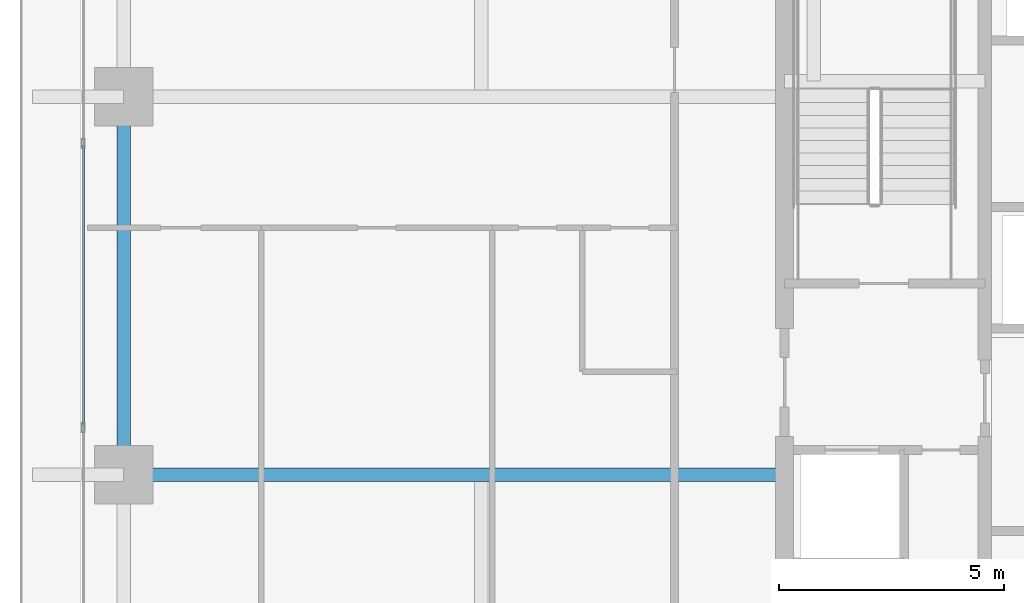
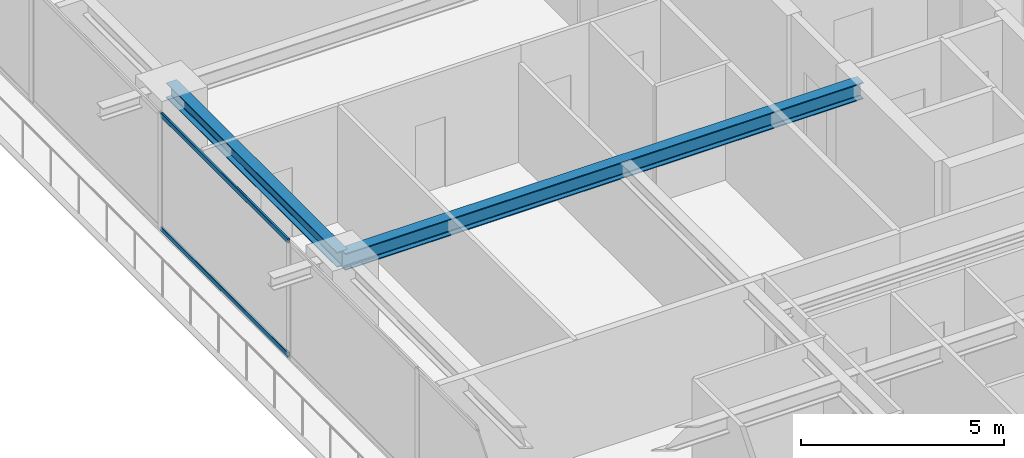
# One storey, part 7 of 36: 2 beams, 2 members, 1 element without a shape of its own.
"""IFC4 building model written with IfcOpenShell, lengths in metres."""

from ifc_helpers import new_model, si_unit, direction, frame, origin, origin_2d, place, context, subcontext, project, spatial, hollow_rectangle, i_section, extrude, source, transform, mapped, material, layer, layer_set, material_profile, profile_set, type_object, element, aggregate, save


model = new_model("IFC4")

# Units and contexts
model_context = context("Model", 3, precision=1e-05, world=origin(), true_north=direction((0.0, 1.0)))
body_context = subcontext(model_context, "Body", "Model", "MODEL_VIEW")
ifc_project = project(units=[si_unit("LENGTHUNIT", "METRE"), si_unit("AREAUNIT", "SQUARE_METRE"), si_unit("VOLUMEUNIT", "CUBIC_METRE"), si_unit("PLANEANGLEUNIT", "RADIAN"), si_unit("MASSUNIT", "GRAM", prefix="KILO")], contexts=[model_context])

# Site, building, storey
site_placement = place(None, origin())
site = spatial("IfcSite", under=ifc_project, at=site_placement, CompositionType="ELEMENT")
building_placement = place(site_placement, origin())
building = spatial("IfcBuilding", under=site, at=building_placement, Name="Serunith Strait Residences", CompositionType="ELEMENT")
storey_placement = place(building_placement, frame((0.0, 0.0, 146.39990234375)))
storey = spatial("IfcBuildingStorey", under=building, at=storey_placement, Name="L36", CompositionType="ELEMENT", Elevation=146.39990234375)

# Beams
ifc_material_1 = material(Name="Steel S355J2", Category="steel")
ifc_material_profile_1 = material_profile(ifc_material_1, i_section(OverallWidth=0.300048828125, OverallDepth=0.449951171875, WebThickness=0.013916015625, FlangeThickness=0.02587890625, FilletRadius=0.027099609375, at=origin_2d()), Name="HEB 450")
ifc_profile_set_1 = profile_set([ifc_material_profile_1], Name="Steel S355J2")
beam_type_1 = type_object("IfcBeamType", Name="BM-HEB450", PredefinedType="BEAM", material=ifc_profile_set_1)
shared_shape_1 = source(origin(), body_context, "Body", "SweptSolid", [
    extrude(i_section(OverallWidth=0.300048828125, OverallDepth=0.449951171875, WebThickness=0.013916015625, FlangeThickness=0.02587890625, FilletRadius=0.027099609375, at=origin_2d()), origin(), (0.0, 0.0, 1.0), 8.39990234375),
])
beam_1_placement = place(storey_placement, frame((8.699951171875, 29.39990234375, 3.26220703125), z_axis=(0.0, -1.0, 0.0), x_axis=(1.0, 0.0, 0.0)))
element("IfcBeam", 1, at=beam_1_placement, inside=storey, type_object=beam_type_1, Name="L36 Perimeter Ring Beam 14", PredefinedType="BEAM", context=body_context, shape_type="MappedRepresentation", body=[
    mapped(shared_shape_1, transform((0.0, 0.0, 0.0), scale=1.0)),
])
ifc_material_profile_2 = material_profile(ifc_material_1, i_section(OverallWidth=0.300048828125, OverallDepth=0.5, WebThickness=0.014404296875, FlangeThickness=0.028076171875, FilletRadius=0.027099609375, at=origin_2d()), Name="HEB 500")
ifc_profile_set_2 = profile_set([ifc_material_profile_2], Name="Steel S355J2")
beam_type_2 = type_object("IfcBeamType", Name="BM-HEB500", PredefinedType="BEAM", material=ifc_profile_set_2)
shared_shape_2 = source(origin(), body_context, "Body", "SweptSolid", [
    extrude(i_section(OverallWidth=0.300048828125, OverallDepth=0.5, WebThickness=0.014404296875, FlangeThickness=0.028076171875, FilletRadius=0.027099609375, at=origin_2d()), origin(), (0.0, 0.0, 1.0), 14.699951171875),
])
beam_2_placement = place(storey_placement, frame((23.39990234375, 21.0, 3.237060546875), z_axis=(-1.0, 0.0, 0.0), x_axis=(0.0, -1.0, 0.0)))
element("IfcBeam", 2, at=beam_2_placement, inside=storey, type_object=beam_type_2, Name="L36 Primary Floor Girder TC-W2", PredefinedType="BEAM", context=body_context, shape_type="MappedRepresentation", body=[
    mapped(shared_shape_2, transform((0.0, 0.0, 0.0), scale=1.0)),
])

# Curtain wall, members
ifc_material_2 = material(Name="Pale-Champagne Anodised Aluminium", Category="aluminium")
ifc_layer = layer(ifc_material_2, 0.199951171875, Name="Pale-Champagne Anodised Aluminium")
ifc_layer_set = layer_set([ifc_layer], Name="Pale-Champagne Anodised Aluminium")
curtain_wall_type = type_object("IfcCurtainWallType", Name="CW-SYS2", PredefinedType="NOTDEFINED", material=ifc_layer_set)
curtain_wall_placement = place(storey_placement, origin())
curtain_wall = element("IfcCurtainWall", 3, at=curtain_wall_placement, inside=storey, type_object=curtain_wall_type, Name="L36 W Unitised Fritted Curtain Wall", PredefinedType="NOTDEFINED")
ifc_material_profile_3 = material_profile(ifc_material_2, hollow_rectangle(XDim=0.06005859375, YDim=0.139892578125, WallThickness=0.00341796875, InnerFilletRadius=0.00537109375, OuterFilletRadius=0.0087890625, at=origin_2d()), Name="ALU 140x60x3.5")
ifc_profile_set_3 = profile_set([ifc_material_profile_3], Name="Pale-Champagne Anodised Aluminium")
member_type = type_object("IfcMemberType", Name="CW-SYS2-TRAN", PredefinedType="USERDEFINED", material=ifc_profile_set_3)
shared_shape_3 = source(origin(), body_context, "Body", "SweptSolid", [
    extrude(hollow_rectangle(XDim=0.06005859375, YDim=0.139892578125, WallThickness=0.00341796875, InnerFilletRadius=0.00537109375, OuterFilletRadius=0.0087890625, at=origin_2d()), origin(), (0.0, 0.0, 1.0), 6.25),
])
member_1_placement = place(storey_placement, frame((7.800048828125, 28.324951171875, 0.030029296875), z_axis=(0.0, -1.0, 0.0), x_axis=(1.0, 0.0, 0.0)))
member_1 = element("IfcMember", 4, at=member_1_placement, type_object=member_type, Name="CW-2 transom 3.1", ObjectType="TRANSOM", PredefinedType="USERDEFINED", context=body_context, shape_type="MappedRepresentation", body=[
    mapped(shared_shape_3, transform((0.0, 0.0, 0.0), scale=1.0)),
])
member_2_placement = place(storey_placement, frame((7.800048828125, 28.324951171875, 3.445068359375), z_axis=(0.0, -1.0, 0.0), x_axis=(1.0, 0.0, 0.0)))
member_2 = element("IfcMember", 5, at=member_2_placement, type_object=member_type, Name="CW-2 transom 3.2", ObjectType="TRANSOM", PredefinedType="USERDEFINED", context=body_context, shape_type="MappedRepresentation", body=[
    mapped(shared_shape_3, transform((0.0, 0.0, 0.0), scale=1.0)),
])
aggregate(curtain_wall, [member_1, member_2])

save(model, "model.ifc")
